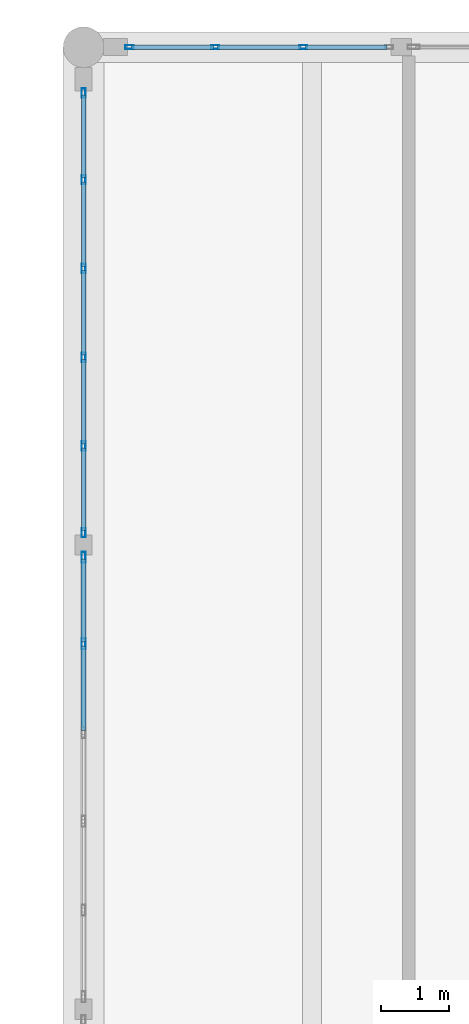
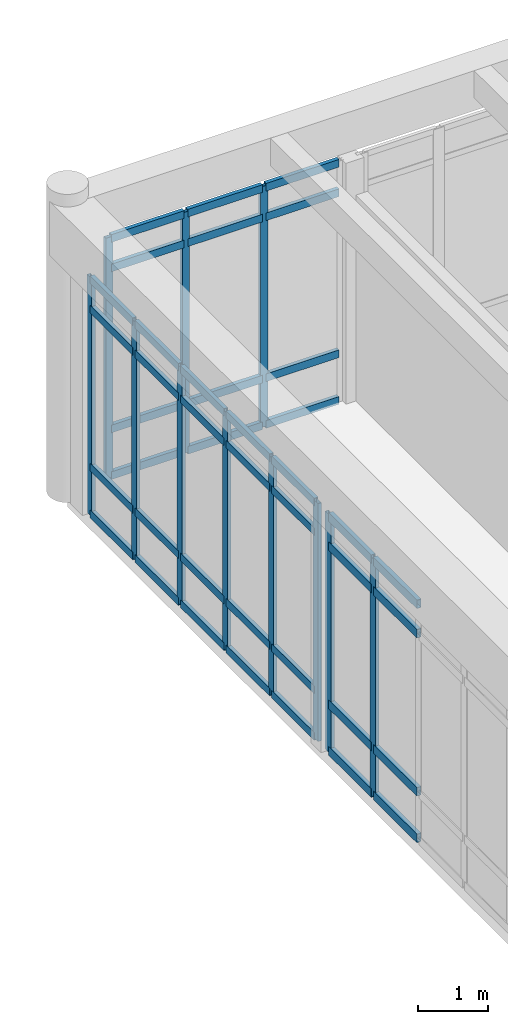
# One storey, part 35 of 138: 51 members, 3 elements without a shape of their own.
"""IFC4 building model written with IfcOpenShell, lengths in metres."""

from ifc_helpers import new_model, si_unit, direction, frame, origin, origin_2d, place, context, subcontext, project, spatial, hollow_rectangle, extrude, material, layer, layer_set, material_profile, profile_set, type_object, element, aggregate, save


model = new_model("IFC4")

# Units and contexts
model_context = context("Model", 3, precision=1e-05, world=origin(), true_north=direction((0.0, 1.0)))
body_context = subcontext(model_context, "Body", "Model", "MODEL_VIEW")
ifc_project = project(units=[si_unit("LENGTHUNIT", "METRE"), si_unit("AREAUNIT", "SQUARE_METRE"), si_unit("VOLUMEUNIT", "CUBIC_METRE"), si_unit("PLANEANGLEUNIT", "RADIAN"), si_unit("MASSUNIT", "GRAM", prefix="KILO")], contexts=[model_context])

# Site, building, storey
site_placement = place(None, origin())
site = spatial("IfcSite", under=ifc_project, at=site_placement, CompositionType="ELEMENT")
building_placement = place(site_placement, origin())
building = spatial("IfcBuilding", under=site, at=building_placement, Name="Fikremerkos Civic Library", CompositionType="ELEMENT")
storey_placement = place(building_placement, origin())
storey = spatial("IfcBuildingStorey", under=building, at=storey_placement, Name="L00", CompositionType="ELEMENT", Elevation=0.0)

# Curtain wall, members
ifc_material = material(Name="Anodized aluminium Frame", Category="aluminium")
ifc_layer_1 = layer(ifc_material, 0.159912109375, Name="Anodized aluminium Frame")
ifc_layer_set_1 = layer_set([ifc_layer_1], Name="Anodized aluminium Frame")
curtain_wall_type_1 = type_object("IfcCurtainWallType", Name="Unitised curtain wall CW-02 3900x3600", PredefinedType="USERDEFINED", material=ifc_layer_set_1)
curtain_wall_1_placement = place(storey_placement, origin())
curtain_wall_1 = element("IfcCurtainWall", 1, at=curtain_wall_1_placement, inside=storey, type_object=curtain_wall_type_1, Name="Unitised curtain wall CW-02 L00 #38", ObjectType="UNITISED CURTAIN WALL", PredefinedType="USERDEFINED")
ifc_material_profile_1 = material_profile(ifc_material, hollow_rectangle(XDim=0.06005859375, YDim=0.159912109375, WallThickness=0.00390625, at=origin_2d()), Name="ALU 160x60x4")
ifc_profile_set_1 = profile_set([ifc_material_profile_1], Name="Anodized aluminium Frame")
member_type_1 = type_object("IfcMemberType", Name="Curtain mullion CWM-02 ALU 160x60x4", PredefinedType="MULLION", material=ifc_profile_set_1)
member_1_placement = place(storey_placement, frame((59.699951171875, 108.790283203125, 0.0), z_axis=(0.0, 0.0, 1.0), x_axis=(-1.0, 0.0, 0.0)))
member_1 = element("IfcMember", 2, at=member_1_placement, type_object=member_type_1, Name="CW-02 mullion 5", PredefinedType="MULLION", context=body_context, shape_type="SweptSolid", body=[
    extrude(hollow_rectangle(XDim=0.06005859375, YDim=0.159912109375, WallThickness=0.00390625, at=origin_2d()), origin(), (0.0, 0.0, 1.0), 4.169921875),
])
member_2_placement = place(storey_placement, frame((59.699951171875, 110.070556640625, 0.0), z_axis=(0.0, 0.0, 1.0), x_axis=(-1.0, 0.0, 0.0)))
member_2 = element("IfcMember", 3, at=member_2_placement, type_object=member_type_1, Name="CW-02 mullion 6", PredefinedType="MULLION", context=body_context, shape_type="SweptSolid", body=[
    extrude(hollow_rectangle(XDim=0.06005859375, YDim=0.159912109375, WallThickness=0.00390625, at=origin_2d()), origin(), (0.0, 0.0, 1.0), 4.169921875),
])

ifc_layer_2 = layer(ifc_material, 0.159912109375, Name="Anodized aluminium Frame")
ifc_layer_set_2 = layer_set([ifc_layer_2], Name="Anodized aluminium Frame")
curtain_wall_type_2 = type_object("IfcCurtainWallType", Name="Unitised curtain wall CW-03 4100x3600", PredefinedType="USERDEFINED", material=ifc_layer_set_2)
curtain_wall_2_placement = place(storey_placement, origin())
curtain_wall_2 = element("IfcCurtainWall", 4, at=curtain_wall_2_placement, inside=storey, type_object=curtain_wall_type_2, Name="Unitised curtain wall CW-03 L00 #39", ObjectType="UNITISED CURTAIN WALL", PredefinedType="USERDEFINED")
ifc_material_profile_2 = material_profile(ifc_material, hollow_rectangle(XDim=0.06005859375, YDim=0.139892578125, WallThickness=0.00390625, at=origin_2d()), Name="ALU 140x60x4")
ifc_profile_set_2 = profile_set([ifc_material_profile_2], Name="Anodized aluminium Frame")
member_type_2 = type_object("IfcMemberType", Name="Curtain mullion CWM-03 ALU 140x60x4", PredefinedType="MULLION", material=ifc_profile_set_2)
member_3_placement = place(storey_placement, frame((59.699951171875, 110.4306640625, 0.0), z_axis=(0.0, 0.0, 1.0), x_axis=(-1.0, 0.0, 0.0)))
member_3 = element("IfcMember", 5, at=member_3_placement, type_object=member_type_2, Name="CW-03 mullion 1", PredefinedType="MULLION", context=body_context, shape_type="SweptSolid", body=[
    extrude(hollow_rectangle(XDim=0.06005859375, YDim=0.139892578125, WallThickness=0.00390625, at=origin_2d()), origin(), (0.0, 0.0, 1.0), 4.169921875),
])
member_4_placement = place(storey_placement, frame((59.699951171875, 111.7109375, 0.0), z_axis=(0.0, 0.0, 1.0), x_axis=(-1.0, 0.0, 0.0)))
member_4 = element("IfcMember", 6, at=member_4_placement, type_object=member_type_2, Name="CW-03 mullion 2", PredefinedType="MULLION", context=body_context, shape_type="SweptSolid", body=[
    extrude(hollow_rectangle(XDim=0.06005859375, YDim=0.139892578125, WallThickness=0.00390625, at=origin_2d()), origin(), (0.0, 0.0, 1.0), 4.169921875),
])
member_5_placement = place(storey_placement, frame((59.699951171875, 113.021240234375, 0.0), z_axis=(0.0, 0.0, 1.0), x_axis=(-1.0, 0.0, 0.0)))
member_5 = element("IfcMember", 7, at=member_5_placement, type_object=member_type_2, Name="CW-03 mullion 3", PredefinedType="MULLION", context=body_context, shape_type="SweptSolid", body=[
    extrude(hollow_rectangle(XDim=0.06005859375, YDim=0.139892578125, WallThickness=0.00390625, at=origin_2d()), origin(), (0.0, 0.0, 1.0), 4.169921875),
])
member_6_placement = place(storey_placement, frame((59.699951171875, 114.33154296875, 0.0), z_axis=(0.0, 0.0, 1.0), x_axis=(-1.0, 0.0, 0.0)))
member_6 = element("IfcMember", 8, at=member_6_placement, type_object=member_type_2, Name="CW-03 mullion 4", PredefinedType="MULLION", context=body_context, shape_type="SweptSolid", body=[
    extrude(hollow_rectangle(XDim=0.06005859375, YDim=0.139892578125, WallThickness=0.00390625, at=origin_2d()), origin(), (0.0, 0.0, 1.0), 4.169921875),
])
member_7_placement = place(storey_placement, frame((59.699951171875, 115.641845703125, 0.0), z_axis=(0.0, 0.0, 1.0), x_axis=(-1.0, 0.0, 0.0)))
member_7 = element("IfcMember", 9, at=member_7_placement, type_object=member_type_2, Name="CW-03 mullion 5", PredefinedType="MULLION", context=body_context, shape_type="SweptSolid", body=[
    extrude(hollow_rectangle(XDim=0.06005859375, YDim=0.139892578125, WallThickness=0.00390625, at=origin_2d()), origin(), (0.0, 0.0, 1.0), 4.169921875),
])
member_8_placement = place(storey_placement, frame((59.699951171875, 116.922119140625, 0.0), z_axis=(0.0, 0.0, 1.0), x_axis=(-1.0, 0.0, 0.0)))
member_8 = element("IfcMember", 10, at=member_8_placement, type_object=member_type_2, Name="CW-03 mullion 6", PredefinedType="MULLION", context=body_context, shape_type="SweptSolid", body=[
    extrude(hollow_rectangle(XDim=0.06005859375, YDim=0.139892578125, WallThickness=0.00390625, at=origin_2d()), origin(), (0.0, 0.0, 1.0), 4.169921875),
])

ifc_layer_3 = layer(ifc_material, 0.159912109375, Name="Anodized aluminium Frame")
ifc_layer_set_3 = layer_set([ifc_layer_3], Name="Anodized aluminium Frame")
curtain_wall_type_3 = type_object("IfcCurtainWallType", Name="Unitised curtain wall CW-04 3400x3600", PredefinedType="USERDEFINED", material=ifc_layer_set_3)
curtain_wall_3_placement = place(storey_placement, origin())
curtain_wall_3 = element("IfcCurtainWall", 11, at=curtain_wall_3_placement, inside=storey, type_object=curtain_wall_type_3, Name="Unitised curtain wall CW-04 L00 #40", ObjectType="UNITISED CURTAIN WALL", PredefinedType="USERDEFINED")
ifc_material_profile_3 = material_profile(ifc_material, hollow_rectangle(XDim=0.06005859375, YDim=0.1201171875, WallThickness=0.00390625, at=origin_2d()), Name="ALU 120x60x4")
ifc_profile_set_3 = profile_set([ifc_material_profile_3], Name="Anodized aluminium Frame")
member_type_3 = type_object("IfcMemberType", Name="Curtain mullion CWM-04 ALU 120x60x4", PredefinedType="MULLION", material=ifc_profile_set_3)
member_9_placement = place(storey_placement, frame((60.3779296875, 117.60009765625, 0.0), z_axis=(0.0, 0.0, 1.0), x_axis=(0.0, 1.0, 0.0)))
member_9 = element("IfcMember", 12, at=member_9_placement, type_object=member_type_3, Name="CW-04 mullion 1", PredefinedType="MULLION", context=body_context, shape_type="SweptSolid", body=[
    extrude(hollow_rectangle(XDim=0.06005859375, YDim=0.1201171875, WallThickness=0.00390625, at=origin_2d()), origin(), (0.0, 0.0, 1.0), 4.219970703125),
])
member_10_placement = place(storey_placement, frame((61.645751953125, 117.60009765625, 0.0), z_axis=(0.0, 0.0, 1.0), x_axis=(0.0, 1.0, 0.0)))
member_10 = element("IfcMember", 13, at=member_10_placement, type_object=member_type_3, Name="CW-04 mullion 2", PredefinedType="MULLION", context=body_context, shape_type="SweptSolid", body=[
    extrude(hollow_rectangle(XDim=0.06005859375, YDim=0.1201171875, WallThickness=0.00390625, at=origin_2d()), origin(), (0.0, 0.0, 1.0), 4.219970703125),
])
member_11_placement = place(storey_placement, frame((62.943359375, 117.60009765625, 0.0), z_axis=(0.0, 0.0, 1.0), x_axis=(0.0, 1.0, 0.0)))
member_11 = element("IfcMember", 14, at=member_11_placement, type_object=member_type_3, Name="CW-04 mullion 3", PredefinedType="MULLION", context=body_context, shape_type="SweptSolid", body=[
    extrude(hollow_rectangle(XDim=0.06005859375, YDim=0.1201171875, WallThickness=0.00390625, at=origin_2d()), origin(), (0.0, 0.0, 1.0), 4.219970703125),
])

# Member
ifc_material_profile_4 = material_profile(ifc_material, hollow_rectangle(XDim=0.070068359375, YDim=0.14990234375, WallThickness=0.00439453125, at=origin_2d()), Name="ALU 150x70x4.5")
ifc_profile_set_4 = profile_set([ifc_material_profile_4], Name="Anodized aluminium Frame")
member_type_4 = type_object("IfcMemberType", Name="Curtain transom CWT-01 ALU 150x70x4.5", PredefinedType="USERDEFINED", material=ifc_profile_set_4)
member_12_placement = place(storey_placement, frame((59.699951171875, 107.51025390625, 0.034912109375), z_axis=(0.0, 1.0, 0.0), x_axis=(-1.0, 0.0, 0.0)))
member_12 = element("IfcMember", 15, at=member_12_placement, type_object=member_type_4, Name="CW-02 transom 4.1", ObjectType="TRANSOM", PredefinedType="USERDEFINED", context=body_context, shape_type="SweptSolid", body=[
    extrude(hollow_rectangle(XDim=0.070068359375, YDim=0.14990234375, WallThickness=0.00439453125, at=origin_2d()), origin(), (0.0, 0.0, 1.0), 1.250244140625),
])

member_13_placement = place(storey_placement, frame((59.699951171875, 107.51025390625, 0.85009765625), z_axis=(0.0, 1.0, 0.0), x_axis=(-1.0, 0.0, 0.0)))
member_13 = element("IfcMember", 16, at=member_13_placement, type_object=member_type_4, Name="CW-02 transom 4.2", ObjectType="TRANSOM", PredefinedType="USERDEFINED", context=body_context, shape_type="SweptSolid", body=[
    extrude(hollow_rectangle(XDim=0.070068359375, YDim=0.14990234375, WallThickness=0.00439453125, at=origin_2d()), origin(), (0.0, 0.0, 1.0), 1.250244140625),
])

member_14_placement = place(storey_placement, frame((59.699951171875, 107.51025390625, 3.6201171875), z_axis=(0.0, 1.0, 0.0), x_axis=(-1.0, 0.0, 0.0)))
member_14 = element("IfcMember", 17, at=member_14_placement, type_object=member_type_4, Name="CW-02 transom 4.3", ObjectType="TRANSOM", PredefinedType="USERDEFINED", context=body_context, shape_type="SweptSolid", body=[
    extrude(hollow_rectangle(XDim=0.070068359375, YDim=0.14990234375, WallThickness=0.00439453125, at=origin_2d()), origin(), (0.0, 0.0, 1.0), 1.250244140625),
])

member_15_placement = place(storey_placement, frame((59.699951171875, 107.51025390625, 4.135009765625), z_axis=(0.0, 1.0, 0.0), x_axis=(-1.0, 0.0, 0.0)))
member_15 = element("IfcMember", 18, at=member_15_placement, type_object=member_type_4, Name="CW-02 transom 4.4", ObjectType="TRANSOM", PredefinedType="USERDEFINED", context=body_context, shape_type="SweptSolid", body=[
    extrude(hollow_rectangle(XDim=0.070068359375, YDim=0.14990234375, WallThickness=0.00439453125, at=origin_2d()), origin(), (0.0, 0.0, 1.0), 1.250244140625),
])

member_16_placement = place(storey_placement, frame((59.699951171875, 108.8203125, 0.034912109375), z_axis=(0.0, 1.0, 0.0), x_axis=(-1.0, 0.0, 0.0)))
member_16 = element("IfcMember", 19, at=member_16_placement, type_object=member_type_4, Name="CW-02 transom 5.1", ObjectType="TRANSOM", PredefinedType="USERDEFINED", context=body_context, shape_type="SweptSolid", body=[
    extrude(hollow_rectangle(XDim=0.070068359375, YDim=0.14990234375, WallThickness=0.00439453125, at=origin_2d()), origin(), (0.0, 0.0, 1.0), 1.220458984375),
])

member_17_placement = place(storey_placement, frame((59.699951171875, 108.8203125, 0.85009765625), z_axis=(0.0, 1.0, 0.0), x_axis=(-1.0, 0.0, 0.0)))
member_17 = element("IfcMember", 20, at=member_17_placement, type_object=member_type_4, Name="CW-02 transom 5.2", ObjectType="TRANSOM", PredefinedType="USERDEFINED", context=body_context, shape_type="SweptSolid", body=[
    extrude(hollow_rectangle(XDim=0.070068359375, YDim=0.14990234375, WallThickness=0.00439453125, at=origin_2d()), origin(), (0.0, 0.0, 1.0), 1.220458984375),
])

member_18_placement = place(storey_placement, frame((59.699951171875, 108.8203125, 3.6201171875), z_axis=(0.0, 1.0, 0.0), x_axis=(-1.0, 0.0, 0.0)))
member_18 = element("IfcMember", 21, at=member_18_placement, type_object=member_type_4, Name="CW-02 transom 5.3", ObjectType="TRANSOM", PredefinedType="USERDEFINED", context=body_context, shape_type="SweptSolid", body=[
    extrude(hollow_rectangle(XDim=0.070068359375, YDim=0.14990234375, WallThickness=0.00439453125, at=origin_2d()), origin(), (0.0, 0.0, 1.0), 1.220458984375),
])

member_19_placement = place(storey_placement, frame((59.699951171875, 108.8203125, 4.135009765625), z_axis=(0.0, 1.0, 0.0), x_axis=(-1.0, 0.0, 0.0)))
member_19 = element("IfcMember", 22, at=member_19_placement, type_object=member_type_4, Name="CW-02 transom 5.4", ObjectType="TRANSOM", PredefinedType="USERDEFINED", context=body_context, shape_type="SweptSolid", body=[
    extrude(hollow_rectangle(XDim=0.070068359375, YDim=0.14990234375, WallThickness=0.00439453125, at=origin_2d()), origin(), (0.0, 0.0, 1.0), 1.220458984375),
])

aggregate(curtain_wall_1, [member_1, member_2, member_12, member_13, member_14, member_15, member_16, member_17, member_18, member_19])

ifc_material_profile_5 = material_profile(ifc_material, hollow_rectangle(XDim=0.06494140625, YDim=0.135009765625, WallThickness=0.00439453125, at=origin_2d()), Name="ALU 135x65x4.5")
ifc_profile_set_5 = profile_set([ifc_material_profile_5], Name="Anodized aluminium Frame")
member_type_5 = type_object("IfcMemberType", Name="Curtain transom CWT-02 ALU 135x65x4.5", PredefinedType="USERDEFINED", material=ifc_profile_set_5)
member_20_placement = place(storey_placement, frame((59.699951171875, 110.460693359375, 0.032470703125), z_axis=(0.0, 1.0, 0.0), x_axis=(-1.0, 0.0, 0.0)))
member_20 = element("IfcMember", 23, at=member_20_placement, type_object=member_type_5, Name="CW-03 transom 1.1", ObjectType="TRANSOM", PredefinedType="USERDEFINED", context=body_context, shape_type="SweptSolid", body=[
    extrude(hollow_rectangle(XDim=0.06494140625, YDim=0.135009765625, WallThickness=0.00439453125, at=origin_2d()), origin(), (0.0, 0.0, 1.0), 1.22021484375),
])

member_21_placement = place(storey_placement, frame((59.699951171875, 110.460693359375, 0.85009765625), z_axis=(0.0, 1.0, 0.0), x_axis=(-1.0, 0.0, 0.0)))
member_21 = element("IfcMember", 24, at=member_21_placement, type_object=member_type_5, Name="CW-03 transom 1.2", ObjectType="TRANSOM", PredefinedType="USERDEFINED", context=body_context, shape_type="SweptSolid", body=[
    extrude(hollow_rectangle(XDim=0.06494140625, YDim=0.135009765625, WallThickness=0.00439453125, at=origin_2d()), origin(), (0.0, 0.0, 1.0), 1.22021484375),
])

member_22_placement = place(storey_placement, frame((59.699951171875, 110.460693359375, 3.6201171875), z_axis=(0.0, 1.0, 0.0), x_axis=(-1.0, 0.0, 0.0)))
member_22 = element("IfcMember", 25, at=member_22_placement, type_object=member_type_5, Name="CW-03 transom 1.3", ObjectType="TRANSOM", PredefinedType="USERDEFINED", context=body_context, shape_type="SweptSolid", body=[
    extrude(hollow_rectangle(XDim=0.06494140625, YDim=0.135009765625, WallThickness=0.00439453125, at=origin_2d()), origin(), (0.0, 0.0, 1.0), 1.22021484375),
])

member_23_placement = place(storey_placement, frame((59.699951171875, 110.460693359375, 4.137451171875), z_axis=(0.0, 1.0, 0.0), x_axis=(-1.0, 0.0, 0.0)))
member_23 = element("IfcMember", 26, at=member_23_placement, type_object=member_type_5, Name="CW-03 transom 1.4", ObjectType="TRANSOM", PredefinedType="USERDEFINED", context=body_context, shape_type="SweptSolid", body=[
    extrude(hollow_rectangle(XDim=0.06494140625, YDim=0.135009765625, WallThickness=0.00439453125, at=origin_2d()), origin(), (0.0, 0.0, 1.0), 1.22021484375),
])

member_24_placement = place(storey_placement, frame((59.699951171875, 111.740966796875, 0.032470703125), z_axis=(0.0, 1.0, 0.0), x_axis=(-1.0, 0.0, 0.0)))
member_24 = element("IfcMember", 27, at=member_24_placement, type_object=member_type_5, Name="CW-03 transom 2.1", ObjectType="TRANSOM", PredefinedType="USERDEFINED", context=body_context, shape_type="SweptSolid", body=[
    extrude(hollow_rectangle(XDim=0.06494140625, YDim=0.135009765625, WallThickness=0.00439453125, at=origin_2d()), origin(), (0.0, 0.0, 1.0), 1.250244140625),
])

member_25_placement = place(storey_placement, frame((59.699951171875, 111.740966796875, 0.85009765625), z_axis=(0.0, 1.0, 0.0), x_axis=(-1.0, 0.0, 0.0)))
member_25 = element("IfcMember", 28, at=member_25_placement, type_object=member_type_5, Name="CW-03 transom 2.2", ObjectType="TRANSOM", PredefinedType="USERDEFINED", context=body_context, shape_type="SweptSolid", body=[
    extrude(hollow_rectangle(XDim=0.06494140625, YDim=0.135009765625, WallThickness=0.00439453125, at=origin_2d()), origin(), (0.0, 0.0, 1.0), 1.250244140625),
])

member_26_placement = place(storey_placement, frame((59.699951171875, 111.740966796875, 3.6201171875), z_axis=(0.0, 1.0, 0.0), x_axis=(-1.0, 0.0, 0.0)))
member_26 = element("IfcMember", 29, at=member_26_placement, type_object=member_type_5, Name="CW-03 transom 2.3", ObjectType="TRANSOM", PredefinedType="USERDEFINED", context=body_context, shape_type="SweptSolid", body=[
    extrude(hollow_rectangle(XDim=0.06494140625, YDim=0.135009765625, WallThickness=0.00439453125, at=origin_2d()), origin(), (0.0, 0.0, 1.0), 1.250244140625),
])

member_27_placement = place(storey_placement, frame((59.699951171875, 111.740966796875, 4.137451171875), z_axis=(0.0, 1.0, 0.0), x_axis=(-1.0, 0.0, 0.0)))
member_27 = element("IfcMember", 30, at=member_27_placement, type_object=member_type_5, Name="CW-03 transom 2.4", ObjectType="TRANSOM", PredefinedType="USERDEFINED", context=body_context, shape_type="SweptSolid", body=[
    extrude(hollow_rectangle(XDim=0.06494140625, YDim=0.135009765625, WallThickness=0.00439453125, at=origin_2d()), origin(), (0.0, 0.0, 1.0), 1.250244140625),
])

member_28_placement = place(storey_placement, frame((59.699951171875, 113.05126953125, 0.032470703125), z_axis=(0.0, 1.0, 0.0), x_axis=(-1.0, 0.0, 0.0)))
member_28 = element("IfcMember", 31, at=member_28_placement, type_object=member_type_5, Name="CW-03 transom 3.1", ObjectType="TRANSOM", PredefinedType="USERDEFINED", context=body_context, shape_type="SweptSolid", body=[
    extrude(hollow_rectangle(XDim=0.06494140625, YDim=0.135009765625, WallThickness=0.00439453125, at=origin_2d()), origin(), (0.0, 0.0, 1.0), 1.250244140625),
])

member_29_placement = place(storey_placement, frame((59.699951171875, 113.05126953125, 0.85009765625), z_axis=(0.0, 1.0, 0.0), x_axis=(-1.0, 0.0, 0.0)))
member_29 = element("IfcMember", 32, at=member_29_placement, type_object=member_type_5, Name="CW-03 transom 3.2", ObjectType="TRANSOM", PredefinedType="USERDEFINED", context=body_context, shape_type="SweptSolid", body=[
    extrude(hollow_rectangle(XDim=0.06494140625, YDim=0.135009765625, WallThickness=0.00439453125, at=origin_2d()), origin(), (0.0, 0.0, 1.0), 1.250244140625),
])

member_30_placement = place(storey_placement, frame((59.699951171875, 113.05126953125, 3.6201171875), z_axis=(0.0, 1.0, 0.0), x_axis=(-1.0, 0.0, 0.0)))
member_30 = element("IfcMember", 33, at=member_30_placement, type_object=member_type_5, Name="CW-03 transom 3.3", ObjectType="TRANSOM", PredefinedType="USERDEFINED", context=body_context, shape_type="SweptSolid", body=[
    extrude(hollow_rectangle(XDim=0.06494140625, YDim=0.135009765625, WallThickness=0.00439453125, at=origin_2d()), origin(), (0.0, 0.0, 1.0), 1.250244140625),
])

member_31_placement = place(storey_placement, frame((59.699951171875, 113.05126953125, 4.137451171875), z_axis=(0.0, 1.0, 0.0), x_axis=(-1.0, 0.0, 0.0)))
member_31 = element("IfcMember", 34, at=member_31_placement, type_object=member_type_5, Name="CW-03 transom 3.4", ObjectType="TRANSOM", PredefinedType="USERDEFINED", context=body_context, shape_type="SweptSolid", body=[
    extrude(hollow_rectangle(XDim=0.06494140625, YDim=0.135009765625, WallThickness=0.00439453125, at=origin_2d()), origin(), (0.0, 0.0, 1.0), 1.250244140625),
])

member_32_placement = place(storey_placement, frame((59.699951171875, 114.361572265625, 0.032470703125), z_axis=(0.0, 1.0, 0.0), x_axis=(-1.0, 0.0, 0.0)))
member_32 = element("IfcMember", 35, at=member_32_placement, type_object=member_type_5, Name="CW-03 transom 4.1", ObjectType="TRANSOM", PredefinedType="USERDEFINED", context=body_context, shape_type="SweptSolid", body=[
    extrude(hollow_rectangle(XDim=0.06494140625, YDim=0.135009765625, WallThickness=0.00439453125, at=origin_2d()), origin(), (0.0, 0.0, 1.0), 1.250244140625),
])

member_33_placement = place(storey_placement, frame((59.699951171875, 114.361572265625, 0.85009765625), z_axis=(0.0, 1.0, 0.0), x_axis=(-1.0, 0.0, 0.0)))
member_33 = element("IfcMember", 36, at=member_33_placement, type_object=member_type_5, Name="CW-03 transom 4.2", ObjectType="TRANSOM", PredefinedType="USERDEFINED", context=body_context, shape_type="SweptSolid", body=[
    extrude(hollow_rectangle(XDim=0.06494140625, YDim=0.135009765625, WallThickness=0.00439453125, at=origin_2d()), origin(), (0.0, 0.0, 1.0), 1.250244140625),
])

member_34_placement = place(storey_placement, frame((59.699951171875, 114.361572265625, 3.6201171875), z_axis=(0.0, 1.0, 0.0), x_axis=(-1.0, 0.0, 0.0)))
member_34 = element("IfcMember", 37, at=member_34_placement, type_object=member_type_5, Name="CW-03 transom 4.3", ObjectType="TRANSOM", PredefinedType="USERDEFINED", context=body_context, shape_type="SweptSolid", body=[
    extrude(hollow_rectangle(XDim=0.06494140625, YDim=0.135009765625, WallThickness=0.00439453125, at=origin_2d()), origin(), (0.0, 0.0, 1.0), 1.250244140625),
])

member_35_placement = place(storey_placement, frame((59.699951171875, 114.361572265625, 4.137451171875), z_axis=(0.0, 1.0, 0.0), x_axis=(-1.0, 0.0, 0.0)))
member_35 = element("IfcMember", 38, at=member_35_placement, type_object=member_type_5, Name="CW-03 transom 4.4", ObjectType="TRANSOM", PredefinedType="USERDEFINED", context=body_context, shape_type="SweptSolid", body=[
    extrude(hollow_rectangle(XDim=0.06494140625, YDim=0.135009765625, WallThickness=0.00439453125, at=origin_2d()), origin(), (0.0, 0.0, 1.0), 1.250244140625),
])

member_36_placement = place(storey_placement, frame((59.699951171875, 115.671630859375, 0.032470703125), z_axis=(0.0, 1.0, 0.0), x_axis=(-1.0, 0.0, 0.0)))
member_36 = element("IfcMember", 39, at=member_36_placement, type_object=member_type_5, Name="CW-03 transom 5.1", ObjectType="TRANSOM", PredefinedType="USERDEFINED", context=body_context, shape_type="SweptSolid", body=[
    extrude(hollow_rectangle(XDim=0.06494140625, YDim=0.135009765625, WallThickness=0.00439453125, at=origin_2d()), origin(), (0.0, 0.0, 1.0), 1.220458984375),
])

member_37_placement = place(storey_placement, frame((59.699951171875, 115.671630859375, 0.85009765625), z_axis=(0.0, 1.0, 0.0), x_axis=(-1.0, 0.0, 0.0)))
member_37 = element("IfcMember", 40, at=member_37_placement, type_object=member_type_5, Name="CW-03 transom 5.2", ObjectType="TRANSOM", PredefinedType="USERDEFINED", context=body_context, shape_type="SweptSolid", body=[
    extrude(hollow_rectangle(XDim=0.06494140625, YDim=0.135009765625, WallThickness=0.00439453125, at=origin_2d()), origin(), (0.0, 0.0, 1.0), 1.220458984375),
])

member_38_placement = place(storey_placement, frame((59.699951171875, 115.671630859375, 3.6201171875), z_axis=(0.0, 1.0, 0.0), x_axis=(-1.0, 0.0, 0.0)))
member_38 = element("IfcMember", 41, at=member_38_placement, type_object=member_type_5, Name="CW-03 transom 5.3", ObjectType="TRANSOM", PredefinedType="USERDEFINED", context=body_context, shape_type="SweptSolid", body=[
    extrude(hollow_rectangle(XDim=0.06494140625, YDim=0.135009765625, WallThickness=0.00439453125, at=origin_2d()), origin(), (0.0, 0.0, 1.0), 1.220458984375),
])

member_39_placement = place(storey_placement, frame((59.699951171875, 115.671630859375, 4.137451171875), z_axis=(0.0, 1.0, 0.0), x_axis=(-1.0, 0.0, 0.0)))
member_39 = element("IfcMember", 42, at=member_39_placement, type_object=member_type_5, Name="CW-03 transom 5.4", ObjectType="TRANSOM", PredefinedType="USERDEFINED", context=body_context, shape_type="SweptSolid", body=[
    extrude(hollow_rectangle(XDim=0.06494140625, YDim=0.135009765625, WallThickness=0.00439453125, at=origin_2d()), origin(), (0.0, 0.0, 1.0), 1.220458984375),
])

aggregate(curtain_wall_2, [member_3, member_4, member_5, member_6, member_7, member_8, member_20, member_21, member_22, member_23, member_24, member_25, member_26, member_27, member_28, member_29, member_30, member_31, member_32, member_33, member_34, member_35, member_36, member_37, member_38, member_39])

member_40_placement = place(storey_placement, frame((60.407958984375, 117.60009765625, 0.032470703125), z_axis=(1.0, 0.0, 0.0), x_axis=(0.0, 1.0, 0.0)))
member_40 = element("IfcMember", 43, at=member_40_placement, type_object=member_type_5, Name="CW-04 transom 1.1", ObjectType="TRANSOM", PredefinedType="USERDEFINED", context=body_context, shape_type="SweptSolid", body=[
    extrude(hollow_rectangle(XDim=0.06494140625, YDim=0.135009765625, WallThickness=0.00439453125, at=origin_2d()), origin(), (0.0, 0.0, 1.0), 1.207763671875),
])

member_41_placement = place(storey_placement, frame((60.407958984375, 117.60009765625, 0.85009765625), z_axis=(1.0, 0.0, 0.0), x_axis=(0.0, 1.0, 0.0)))
member_41 = element("IfcMember", 44, at=member_41_placement, type_object=member_type_5, Name="CW-04 transom 1.2", ObjectType="TRANSOM", PredefinedType="USERDEFINED", context=body_context, shape_type="SweptSolid", body=[
    extrude(hollow_rectangle(XDim=0.06494140625, YDim=0.135009765625, WallThickness=0.00439453125, at=origin_2d()), origin(), (0.0, 0.0, 1.0), 1.207763671875),
])

member_42_placement = place(storey_placement, frame((60.407958984375, 117.60009765625, 3.669921875), z_axis=(1.0, 0.0, 0.0), x_axis=(0.0, 1.0, 0.0)))
member_42 = element("IfcMember", 45, at=member_42_placement, type_object=member_type_5, Name="CW-04 transom 1.3", ObjectType="TRANSOM", PredefinedType="USERDEFINED", context=body_context, shape_type="SweptSolid", body=[
    extrude(hollow_rectangle(XDim=0.06494140625, YDim=0.135009765625, WallThickness=0.00439453125, at=origin_2d()), origin(), (0.0, 0.0, 1.0), 1.207763671875),
])

member_43_placement = place(storey_placement, frame((60.407958984375, 117.60009765625, 4.1875), z_axis=(1.0, 0.0, 0.0), x_axis=(0.0, 1.0, 0.0)))
member_43 = element("IfcMember", 46, at=member_43_placement, type_object=member_type_5, Name="CW-04 transom 1.4", ObjectType="TRANSOM", PredefinedType="USERDEFINED", context=body_context, shape_type="SweptSolid", body=[
    extrude(hollow_rectangle(XDim=0.06494140625, YDim=0.135009765625, WallThickness=0.00439453125, at=origin_2d()), origin(), (0.0, 0.0, 1.0), 1.207763671875),
])

member_44_placement = place(storey_placement, frame((61.67578125, 117.60009765625, 0.032470703125), z_axis=(1.0, 0.0, 0.0), x_axis=(0.0, 1.0, 0.0)))
member_44 = element("IfcMember", 47, at=member_44_placement, type_object=member_type_5, Name="CW-04 transom 2.1", ObjectType="TRANSOM", PredefinedType="USERDEFINED", context=body_context, shape_type="SweptSolid", body=[
    extrude(hollow_rectangle(XDim=0.06494140625, YDim=0.135009765625, WallThickness=0.00439453125, at=origin_2d()), origin(), (0.0, 0.0, 1.0), 1.237548828125),
])

member_45_placement = place(storey_placement, frame((61.67578125, 117.60009765625, 0.85009765625), z_axis=(1.0, 0.0, 0.0), x_axis=(0.0, 1.0, 0.0)))
member_45 = element("IfcMember", 48, at=member_45_placement, type_object=member_type_5, Name="CW-04 transom 2.2", ObjectType="TRANSOM", PredefinedType="USERDEFINED", context=body_context, shape_type="SweptSolid", body=[
    extrude(hollow_rectangle(XDim=0.06494140625, YDim=0.135009765625, WallThickness=0.00439453125, at=origin_2d()), origin(), (0.0, 0.0, 1.0), 1.237548828125),
])

member_46_placement = place(storey_placement, frame((61.67578125, 117.60009765625, 3.669921875), z_axis=(1.0, 0.0, 0.0), x_axis=(0.0, 1.0, 0.0)))
member_46 = element("IfcMember", 49, at=member_46_placement, type_object=member_type_5, Name="CW-04 transom 2.3", ObjectType="TRANSOM", PredefinedType="USERDEFINED", context=body_context, shape_type="SweptSolid", body=[
    extrude(hollow_rectangle(XDim=0.06494140625, YDim=0.135009765625, WallThickness=0.00439453125, at=origin_2d()), origin(), (0.0, 0.0, 1.0), 1.237548828125),
])

member_47_placement = place(storey_placement, frame((61.67578125, 117.60009765625, 4.1875), z_axis=(1.0, 0.0, 0.0), x_axis=(0.0, 1.0, 0.0)))
member_47 = element("IfcMember", 50, at=member_47_placement, type_object=member_type_5, Name="CW-04 transom 2.4", ObjectType="TRANSOM", PredefinedType="USERDEFINED", context=body_context, shape_type="SweptSolid", body=[
    extrude(hollow_rectangle(XDim=0.06494140625, YDim=0.135009765625, WallThickness=0.00439453125, at=origin_2d()), origin(), (0.0, 0.0, 1.0), 1.237548828125),
])

member_48_placement = place(storey_placement, frame((62.973388671875, 117.60009765625, 0.032470703125), z_axis=(1.0, 0.0, 0.0), x_axis=(0.0, 1.0, 0.0)))
member_48 = element("IfcMember", 51, at=member_48_placement, type_object=member_type_5, Name="CW-04 transom 3.1", ObjectType="TRANSOM", PredefinedType="USERDEFINED", context=body_context, shape_type="SweptSolid", body=[
    extrude(hollow_rectangle(XDim=0.06494140625, YDim=0.135009765625, WallThickness=0.00439453125, at=origin_2d()), origin(), (0.0, 0.0, 1.0), 1.20751953125),
])

member_49_placement = place(storey_placement, frame((62.973388671875, 117.60009765625, 0.85009765625), z_axis=(1.0, 0.0, 0.0), x_axis=(0.0, 1.0, 0.0)))
member_49 = element("IfcMember", 52, at=member_49_placement, type_object=member_type_5, Name="CW-04 transom 3.2", ObjectType="TRANSOM", PredefinedType="USERDEFINED", context=body_context, shape_type="SweptSolid", body=[
    extrude(hollow_rectangle(XDim=0.06494140625, YDim=0.135009765625, WallThickness=0.00439453125, at=origin_2d()), origin(), (0.0, 0.0, 1.0), 1.20751953125),
])

member_50_placement = place(storey_placement, frame((62.973388671875, 117.60009765625, 3.669921875), z_axis=(1.0, 0.0, 0.0), x_axis=(0.0, 1.0, 0.0)))
member_50 = element("IfcMember", 53, at=member_50_placement, type_object=member_type_5, Name="CW-04 transom 3.3", ObjectType="TRANSOM", PredefinedType="USERDEFINED", context=body_context, shape_type="SweptSolid", body=[
    extrude(hollow_rectangle(XDim=0.06494140625, YDim=0.135009765625, WallThickness=0.00439453125, at=origin_2d()), origin(), (0.0, 0.0, 1.0), 1.20751953125),
])

member_51_placement = place(storey_placement, frame((62.973388671875, 117.60009765625, 4.1875), z_axis=(1.0, 0.0, 0.0), x_axis=(0.0, 1.0, 0.0)))
member_51 = element("IfcMember", 54, at=member_51_placement, type_object=member_type_5, Name="CW-04 transom 3.4", ObjectType="TRANSOM", PredefinedType="USERDEFINED", context=body_context, shape_type="SweptSolid", body=[
    extrude(hollow_rectangle(XDim=0.06494140625, YDim=0.135009765625, WallThickness=0.00439453125, at=origin_2d()), origin(), (0.0, 0.0, 1.0), 1.20751953125),
])

aggregate(curtain_wall_3, [member_9, member_10, member_11, member_40, member_41, member_42, member_43, member_44, member_45, member_46, member_47, member_48, member_49, member_50, member_51])

save(model, "model.ifc")
